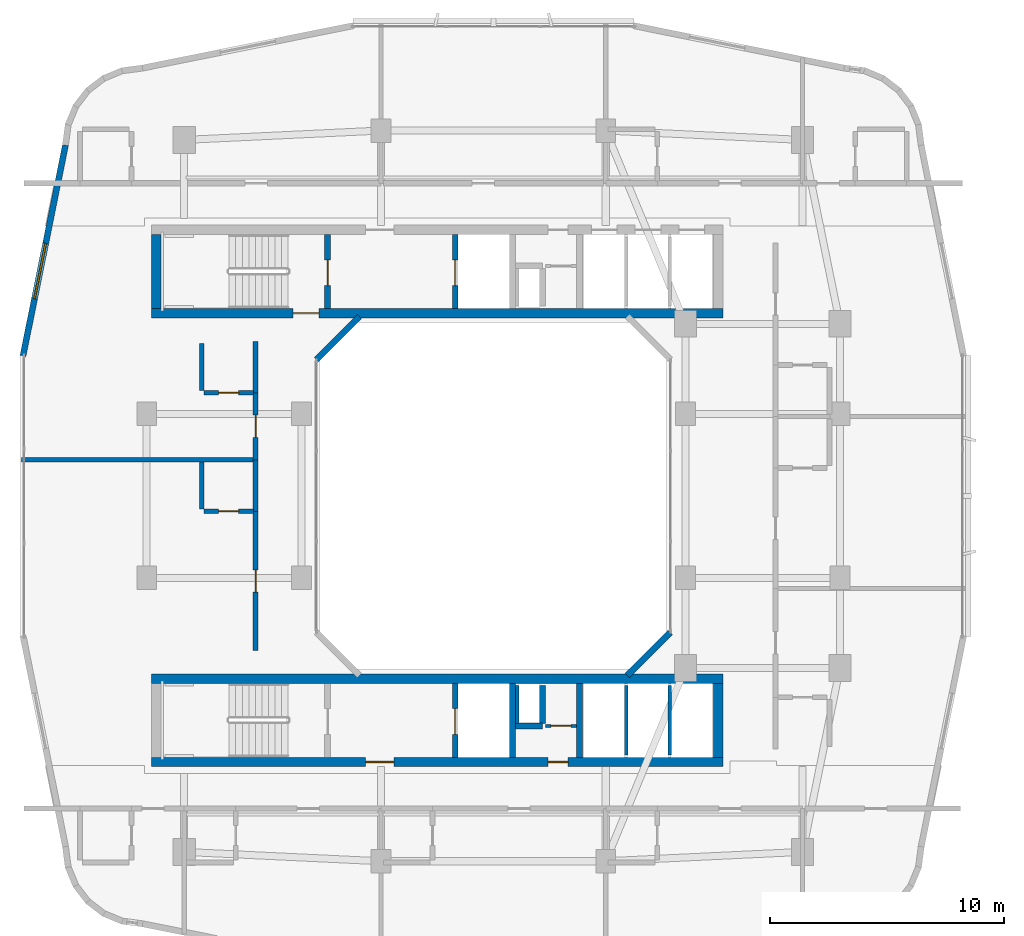
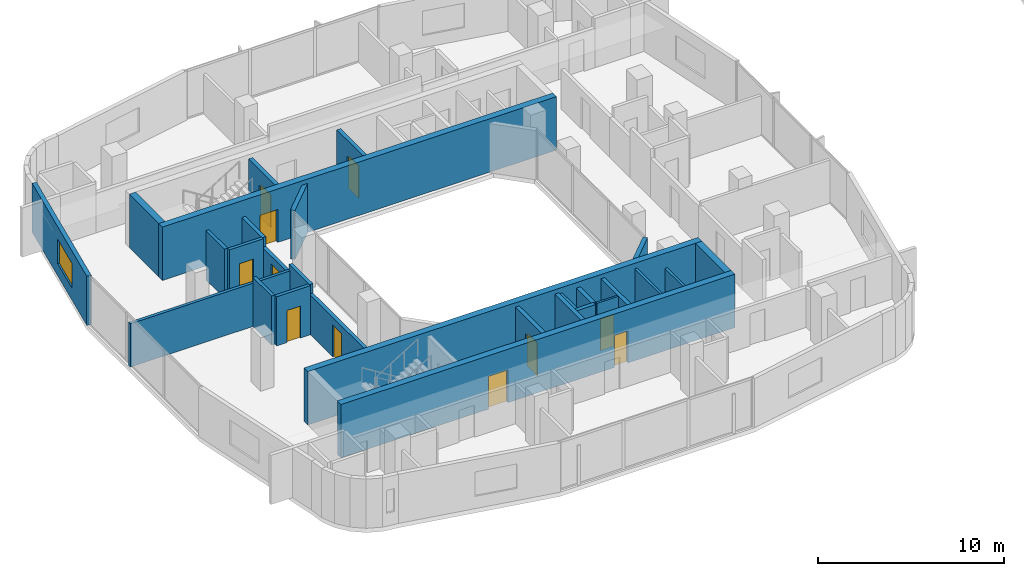
# One storey, part 13 of 26: 28 walls, 11 doors, 1 window, 12 openings.
"""IFC4 building model written with IfcOpenShell, lengths in metres."""

from ifc_helpers import new_model, si_unit, derived_unit, direction, frame, frame_2d, origin, place, context, subcontext, project, spatial, rectangle, extrude, material, layer, layer_set, type_object, element, fill, save


model = new_model("IFC4")

# Units and contexts
model_context = context("Model", 3, precision=1e-05, world=origin(), true_north=direction((0.0, 1.0)))
body_context = subcontext(model_context, "Body", "Model", "MODEL_VIEW")
ifc_project = project(units=[si_unit("LENGTHUNIT", "METRE"), si_unit("AREAUNIT", "SQUARE_METRE"), si_unit("VOLUMEUNIT", "CUBIC_METRE"), si_unit("PLANEANGLEUNIT", "RADIAN"), si_unit("MASSUNIT", "GRAM", prefix="KILO"), derived_unit("THERMALTRANSMITTANCEUNIT", [(si_unit("POWERUNIT", "WATT"), 1), (si_unit("LENGTHUNIT", "METRE"), -2), (si_unit("THERMODYNAMICTEMPERATUREUNIT", "KELVIN"), -1)])], contexts=[model_context])

# Site, building, storey
site_placement = place(None, origin())
site = spatial("IfcSite", under=ifc_project, at=site_placement, CompositionType="ELEMENT")
building_placement = place(site_placement, origin())
building = spatial("IfcBuilding", under=site, at=building_placement, Name="Kivonza Crest Hotel", CompositionType="ELEMENT")
storey_placement = place(building_placement, frame((0.0, 0.0, 102.0)))
storey = spatial("IfcBuildingStorey", under=building, at=storey_placement, Name="L27", CompositionType="ELEMENT", Elevation=102.0)

# Walls
ifc_material_1 = material(Name="High-density acoustic masonry inter-tenancy wall", Category="masonry")
ifc_layer_1 = layer(ifc_material_1, 0.179931640625)
ifc_layer_set_1 = layer_set([ifc_layer_1], Name="High-density acoustic masonry inter-tenancy wall")
wall_type_1 = type_object("IfcWallType", Name="WL-ACOU-180", PredefinedType="SOLIDWALL", material=ifc_layer_set_1)
wall_1_placement = place(storey_placement, frame((0.860107421875, 26.5400390625, 0.0), z_axis=(0.0, 0.0, 1.0), x_axis=(1.0, 0.0, 0.0)))
element("IfcWall", 1, at=wall_1_placement, inside=storey, type_object=wall_type_1, Name="L27 interior partition WA-L27-T1W-DIV1", PredefinedType="SOLIDWALL", context=body_context, shape_type="SweptSolid", body=[
    extrude(rectangle(XDim=9.989990234375, YDim=0.179931640625, at=frame_2d((4.9951171875, 0.0))), origin(), (0.0, 0.0, 1.0), 2.8349609375),
])
ifc_material_2 = material(Name="Autoclaved aerated concrete blockwork", Category="masonry")
ifc_layer_2 = layer(ifc_material_2, 0.219970703125)
ifc_layer_set_2 = layer_set([ifc_layer_2], Name="Autoclaved aerated concrete blockwork")
wall_type_2 = type_object("IfcWallType", Name="WL-ACOU-220", PredefinedType="SOLIDWALL", material=ifc_layer_set_2)
wall_2_placement = place(storey_placement, frame((10.85009765625, 24.340087890625, 0.0), z_axis=(0.0, 0.0, 1.0), x_axis=(0.0, 1.0, 0.0)))
element("IfcWall", 2, at=wall_2_placement, inside=storey, type_object=wall_type_2, Name="L27 interior partition WA-L27-W08-BCORR", PredefinedType="SOLIDWALL", context=body_context, shape_type="SweptSolid", body=[
    extrude(rectangle(XDim=2.199951171875, YDim=0.219970703125, at=frame_2d((1.10009765625, 0.0))), origin(), (0.0, 0.0, 1.0), 3.219970703125),
])

# Wall, opening, door
wall_3_placement = place(storey_placement, frame((10.85009765625, 18.39990234375, 0.0), z_axis=(0.0, 0.0, 1.0), x_axis=(0.0, 1.0, 0.0)))
wall_3 = element("IfcWall", 3, at=wall_3_placement, inside=storey, type_object=wall_type_2, Name="L27 interior partition WA-L27-W08-MCORR", PredefinedType="SOLIDWALL", context=body_context, shape_type="SweptSolid", body=[
    extrude(rectangle(XDim=5.940185546875, YDim=0.219970703125, at=frame_2d((2.97021484375, 0.0))), origin(), (0.0, 0.0, 1.0), 2.594970703125),
])
opening_1_placement = place(wall_3_placement, frame((2.4951171875, 0.0, 0.0)))
opening_1 = element("IfcOpeningElement", 4, at=opening_1_placement, cuts=wall_3, Name="Opening DU-60", PredefinedType="OPENING", context=body_context, shape_type="SweptSolid", body=[
    extrude(rectangle(XDim=0.949951171875, YDim=2.10009765625, at=frame_2d((0.47509765625, 1.050048828125))), frame((0.0, 0.1201171875, 0.0), z_axis=(0.0, -1.0, 0.0), x_axis=(1.0, 0.0, 0.0)), (0.0, 0.0, 1.0), 0.239990234375),
])
ifc_material_3 = material(Name="Hardwood timber oak", Category="wood")
door_type_1 = type_object("IfcDoorType", Name="DR-UNIT-950", OperationType="NOTDEFINED", PredefinedType="DOOR", material=ifc_material_3)
door_1_placement = place(opening_1_placement, origin())
door_1 = element("IfcDoor", 5, at=door_1_placement, inside=storey, type_object=door_type_1, Name="L27 W08 guest unit entrance fire door", OperationType="SINGLE_SWING_RIGHT", OverallHeight=2.10009765625, OverallWidth=0.949951171875, PredefinedType="DOOR", context=body_context, shape_type="SweptSolid", body=[
    extrude(rectangle(XDim=0.949951171875, YDim=2.10009765625, at=frame_2d((0.47509765625, 1.050048828125))), frame((0.0, 0.02490234375, 0.0), z_axis=(0.0, -1.0, 0.0), x_axis=(1.0, 0.0, 0.0)), (0.0, 0.0, 1.0), 0.050048828125),
])
fill(opening_1, door_1)

# Wall
wall_4_placement = place(storey_placement, frame((10.85009765625, 29.39990234375, 0.0), z_axis=(0.0, 0.0, 1.0), x_axis=(0.0, 1.0, 0.0)))
element("IfcWall", 6, at=wall_4_placement, inside=storey, type_object=wall_type_2, Name="L27 interior partition WA-L27-W09-BCORR", PredefinedType="SOLIDWALL", context=body_context, shape_type="SweptSolid", body=[
    extrude(rectangle(XDim=2.2001953125, YDim=0.219970703125, at=frame_2d((1.10009765625, 0.0))), origin(), (0.0, 0.0, 1.0), 3.219970703125),
])

# Wall, opening, door
wall_5_placement = place(storey_placement, frame((10.85009765625, 26.5400390625, 0.0), z_axis=(0.0, 0.0, 1.0), x_axis=(0.0, 1.0, 0.0)))
wall_5 = element("IfcWall", 7, at=wall_5_placement, inside=storey, type_object=wall_type_2, Name="L27 interior partition WA-L27-W09-MCORR", PredefinedType="SOLIDWALL", context=body_context, shape_type="SweptSolid", body=[
    extrude(rectangle(XDim=2.85986328125, YDim=0.219970703125, at=frame_2d((1.429931640625, 0.0))), origin(), (0.0, 0.0, 1.0), 2.594970703125),
])
opening_2_placement = place(wall_5_placement, frame((0.955078125, 0.0, 0.0)))
opening_2 = element("IfcOpeningElement", 8, at=opening_2_placement, cuts=wall_5, Name="Opening DU-60", PredefinedType="OPENING", context=body_context, shape_type="SweptSolid", body=[
    extrude(rectangle(XDim=0.949951171875, YDim=2.10009765625, at=frame_2d((0.47509765625, 1.050048828125))), frame((0.0, 0.1201171875, 0.0), z_axis=(0.0, -1.0, 0.0), x_axis=(1.0, 0.0, 0.0)), (0.0, 0.0, 1.0), 0.239990234375),
])
door_2_placement = place(opening_2_placement, origin())
door_2 = element("IfcDoor", 9, at=door_2_placement, inside=storey, type_object=door_type_1, Name="L27 W09 guest unit entrance fire door", OperationType="SINGLE_SWING_LEFT", OverallHeight=2.10009765625, OverallWidth=0.949951171875, PredefinedType="DOOR", context=body_context, shape_type="SweptSolid", body=[
    extrude(rectangle(XDim=0.949951171875, YDim=2.10009765625, at=frame_2d((0.47509765625, 1.050048828125))), frame((0.0, 0.02490234375, 0.0), z_axis=(0.0, -1.0, 0.0), x_axis=(1.0, 0.0, 0.0)), (0.0, 0.0, 1.0), 0.050048828125),
])
fill(opening_2, door_2)

ifc_material_4 = material(Name="Concrete C50/60", Category="concrete")
ifc_layer_3 = layer(ifc_material_4, 0.39990234375)
ifc_layer_set_3 = layer_set([ifc_layer_3], Name="Concrete C50/60")
wall_type_3 = type_object("IfcWallType", Name="WL-CORE-400", PredefinedType="SHEAR", material=ifc_layer_set_3)
wall_6_placement = place(storey_placement, frame((6.39990234375, 32.800048828125, 0.0), z_axis=(0.0, 0.0, 1.0), x_axis=(1.0, 0.0, 0.0)))
wall_6 = element("IfcWall", 10, at=wall_6_placement, inside=storey, type_object=wall_type_3, Name="Core wall T1-N South L27", PredefinedType="SHEAR", context=body_context, shape_type="SweptSolid", body=[
    extrude(rectangle(XDim=24.400146484375, YDim=0.39990234375, at=frame_2d((12.2001953125, 0.0))), origin(), (0.0, 0.0, 1.0), 3.5),
])
opening_3_placement = place(wall_6_placement, frame((6.050048828125, 0.0, 0.0)))
opening_3 = element("IfcOpeningElement", 11, at=opening_3_placement, cuts=wall_6, Name="Opening DF-120", PredefinedType="OPENING", context=body_context, shape_type="SweptSolid", body=[
    extrude(rectangle(XDim=1.10009765625, YDim=2.14990234375, at=frame_2d((0.550048828125, 1.074951171875))), frame((0.0, 0.2099609375, 0.0), z_axis=(0.0, -1.0, 0.0), x_axis=(1.0, 0.0, 0.0)), (0.0, 0.0, 1.0), 0.419921875),
])
ifc_material_5 = material(Name="Galvanised steel", Category="steel")
door_type_2 = type_object("IfcDoorType", Name="DR-FD120-1100", OperationType="NOTDEFINED", PredefinedType="DOOR", material=ifc_material_5)
door_3_placement = place(opening_3_placement, origin())
door_3 = element("IfcDoor", 12, at=door_3_placement, inside=storey, type_object=door_type_2, Name="L27 West corridor stair access fire door", OperationType="SINGLE_SWING_LEFT", OverallHeight=2.14990234375, OverallWidth=1.10009765625, PredefinedType="DOOR", context=body_context, shape_type="SweptSolid", body=[
    extrude(rectangle(XDim=1.10009765625, YDim=2.14990234375, at=frame_2d((0.550048828125, 1.074951171875))), frame((0.0, 0.02490234375, 0.0), z_axis=(0.0, -1.0, 0.0), x_axis=(1.0, 0.0, 0.0)), (0.0, 0.0, 1.0), 0.050048828125),
])
fill(opening_3, door_3)

# Wall
wall_7_placement = place(storey_placement, frame((6.60009765625, 33.0, 0.0), z_axis=(0.0, 0.0, 1.0), x_axis=(0.0, 1.0, 0.0)))
element("IfcWall", 13, at=wall_7_placement, inside=storey, type_object=wall_type_3, Name="Core wall T1-N West L27", PredefinedType="SHEAR", context=body_context, shape_type="SweptSolid", body=[
    extrude(rectangle(XDim=3.159912109375, YDim=0.39990234375, at=frame_2d((1.580078125, 0.0))), origin(), (0.0, 0.0, 1.0), 3.5),
])

# Wall, openings, doors
wall_8_placement = place(storey_placement, frame((6.39990234375, 13.639892578125, 0.0), z_axis=(0.0, 0.0, 1.0), x_axis=(1.0, 0.0, 0.0)))
wall_8 = element("IfcWall", 14, at=wall_8_placement, inside=storey, type_object=wall_type_3, Name="Core wall T1-S South L27", PredefinedType="SHEAR", context=body_context, shape_type="SweptSolid", body=[
    extrude(rectangle(XDim=24.400146484375, YDim=0.39990234375, at=frame_2d((12.2001953125, 0.0))), origin(), (0.0, 0.0, 1.0), 3.5),
])
opening_4_placement = place(wall_8_placement, frame((9.14990234375, 0.0, 0.0)))
opening_4 = element("IfcOpeningElement", 15, at=opening_4_placement, cuts=wall_8, Name="Opening DF-60", PredefinedType="OPENING", context=body_context, shape_type="SweptSolid", body=[
    extrude(rectangle(XDim=1.199951171875, YDim=2.14990234375, at=frame_2d((0.60009765625, 1.074951171875))), frame((0.0, 0.2099609375, 0.0), z_axis=(0.0, -1.0, 0.0), x_axis=(1.0, 0.0, 0.0)), (0.0, 0.0, 1.0), 0.419921875),
])
opening_5_placement = place(wall_8_placement, frame((16.93994140625, 0.0, 0.0)))
opening_5 = element("IfcOpeningElement", 16, at=opening_5_placement, cuts=wall_8, Name="Opening DF-60R", PredefinedType="OPENING", context=body_context, shape_type="SweptSolid", body=[
    extrude(rectangle(XDim=0.85009765625, YDim=2.10009765625, at=frame_2d((0.425048828125, 1.050048828125))), frame((0.0, 0.2099609375, 0.0), z_axis=(0.0, -1.0, 0.0), x_axis=(1.0, 0.0, 0.0)), (0.0, 0.0, 1.0), 0.419921875),
])
door_type_3 = type_object("IfcDoorType", Name="DR-FD60-1200", OperationType="NOTDEFINED", PredefinedType="DOOR", material=ifc_material_3)
door_4_placement = place(opening_4_placement, frame((1.199951171875, 0.0, 0.0), z_axis=(0.0, 0.0, 1.0), x_axis=(-1.0, 0.0, 0.0)))
door_4 = element("IfcDoor", 17, at=door_4_placement, inside=storey, type_object=door_type_3, Name="L27 T1-S firefighting lobby fire door", OperationType="SINGLE_SWING_LEFT", OverallHeight=2.14990234375, OverallWidth=1.199951171875, PredefinedType="DOOR", context=body_context, shape_type="SweptSolid", body=[
    extrude(rectangle(XDim=1.199951171875, YDim=2.14990234375, at=frame_2d((0.60009765625, 1.074951171875))), frame((0.0, 0.02490234375, 0.0), z_axis=(0.0, -1.0, 0.0), x_axis=(1.0, 0.0, 0.0)), (0.0, 0.0, 1.0), 0.050048828125),
])
fill(opening_4, door_4)
door_type_4 = type_object("IfcDoorType", Name="DR-FD60-850", OperationType="NOTDEFINED", PredefinedType="DOOR", material=ifc_material_3)
door_5_placement = place(opening_5_placement, frame((0.85009765625, 0.0, 0.0), z_axis=(0.0, 0.0, 1.0), x_axis=(-1.0, 0.0, 0.0)))
door_5 = element("IfcDoor", 18, at=door_5_placement, inside=storey, type_object=door_type_4, Name="L27 T1-S core room door", OperationType="SINGLE_SWING_RIGHT", OverallHeight=2.10009765625, OverallWidth=0.85009765625, PredefinedType="DOOR", context=body_context, shape_type="SweptSolid", body=[
    extrude(rectangle(XDim=0.85009765625, YDim=2.10009765625, at=frame_2d((0.425048828125, 1.050048828125))), frame((0.0, 0.02490234375, 0.0), z_axis=(0.0, -1.0, 0.0), x_axis=(1.0, 0.0, 0.0)), (0.0, 0.0, 1.0), 0.050048828125),
])
fill(opening_5, door_5)

# Walls
wall_9_placement = place(storey_placement, frame((6.39990234375, 17.199951171875, 0.0), z_axis=(0.0, 0.0, 1.0), x_axis=(1.0, 0.0, 0.0)))
element("IfcWall", 19, at=wall_9_placement, inside=storey, type_object=wall_type_3, Name="Core wall T1-S North L27", PredefinedType="SHEAR", context=body_context, shape_type="SweptSolid", body=[
    extrude(rectangle(XDim=24.400146484375, YDim=0.39990234375, at=frame_2d((12.2001953125, 0.0))), origin(), (0.0, 0.0, 1.0), 3.5),
])
wall_10_placement = place(storey_placement, frame((30.60009765625, 13.840087890625, 0.0), z_axis=(0.0, 0.0, 1.0), x_axis=(0.0, 1.0, 0.0)))
element("IfcWall", 20, at=wall_10_placement, inside=storey, type_object=wall_type_3, Name="Core wall T1-S East L27", PredefinedType="SHEAR", context=body_context, shape_type="SweptSolid", body=[
    extrude(rectangle(XDim=3.159912109375, YDim=0.39990234375, at=frame_2d((1.580078125, 0.0))), origin(), (0.0, 0.0, 1.0), 3.5),
])

# Wall, opening, window
ifc_material_6 = material(Name="Precast concrete C40/50", Category="concrete")
ifc_layer_4 = layer(ifc_material_6, 0.260009765625)
ifc_layer_set_4 = layer_set([ifc_layer_4], Name="Precast concrete C40/50")
wall_type_4 = type_object("IfcWallType", Name="WL-EXT-260", PredefinedType="STANDARD", material=ifc_layer_set_4)
wall_11_placement = place(storey_placement, frame((2.72900390625, 39.98193359375, 0.0), z_axis=(0.0, 0.0, 1.0), x_axis=(-0.197435082048, -0.980315963543, 0.0)))
wall_11 = element("IfcWall", 21, at=wall_11_placement, inside=storey, type_object=wall_type_4, Name="L27 T1 exterior insulated wall 34", PredefinedType="STANDARD", context=body_context, shape_type="SweptSolid", body=[
    extrude(rectangle(XDim=9.1826171875, YDim=0.260009765625, at=frame_2d((4.59130859375, 0.0))), origin(), (0.0, 0.0, 1.0), 3.219970703125),
])
opening_6_placement = place(wall_11_placement, frame((4.285888671875, 0.0, 0.800048828125)))
opening_6 = element("IfcOpeningElement", 22, at=opening_6_placement, cuts=wall_11, Name="Opening WN-05", PredefinedType="OPENING", context=body_context, shape_type="SweptSolid", body=[
    extrude(rectangle(XDim=2.39990234375, YDim=1.60009765625, at=frame_2d((1.199951171875, 0.800048828125))), frame((0.0, 0.14013671875, 0.0), z_axis=(0.0, -1.0, 0.0), x_axis=(1.0, 0.0, 0.0)), (0.0, 0.0, 1.0), 0.280029296875),
])
ifc_material_7 = material(Name="Thermally broken bronze aluminium and low-E double glazing", Category="aluminium")
window_type = type_object("IfcWindowType", Name="WN-240x160", PartitioningType="TRIPLE_PANEL_VERTICAL", PredefinedType="WINDOW", material=ifc_material_7)
window_placement = place(opening_6_placement, origin())
window = element("IfcWindow", 23, at=window_placement, inside=storey, type_object=window_type, Name="L27 T1 facade window 34", OverallHeight=1.60009765625, OverallWidth=2.39990234375, PartitioningType="SINGLE_PANEL", PredefinedType="WINDOW", context=body_context, shape_type="SweptSolid", body=[
    extrude(rectangle(XDim=2.39990234375, YDim=1.60009765625, at=frame_2d((1.199951171875, 0.800048828125))), frame((0.0, 0.030029296875, 0.0), z_axis=(0.0, -1.0, 0.0), x_axis=(1.0, 0.0, 0.0)), (0.0, 0.0, 1.0), 0.06005859375),
])
fill(opening_6, window)

# Walls
for number, where, z_axis, x_axis, name in (
    (24, (26.721923828125, 17.337890625, 0.0), (0.0, 0.0, 1.0), (0.707059717605, 0.707153841636, 0.0), "L27 T1 light-well exterior wall 2"),
    (25, (15.278076171875, 32.662109375, 0.0), (0.0, 0.0, 1.0), (-0.707059717605, -0.707153841636, 0.0), "L27 T1 light-well exterior wall 6"),
):
    element("IfcWall", number, at=place(storey_placement, frame(where, z_axis=z_axis, x_axis=x_axis)), inside=storey, type_object=wall_type_4, Name=name, PredefinedType="STANDARD", context=body_context, shape_type="SweptSolid", body=[
        extrude(rectangle(XDim=2.59375, YDim=0.260009765625, at=frame_2d((1.296875, 0.0))), origin(), (0.0, 0.0, 1.0), 3.219970703125),
    ])
ifc_material_8 = material(Name="Concrete blockwork fire-compartment wall", Category="masonry")
ifc_layer_5 = layer(ifc_material_8, 0.25)
ifc_layer_set_5 = layer_set([ifc_layer_5], Name="Concrete blockwork fire-compartment wall")
wall_type_5 = type_object("IfcWallType", Name="WL-FIRE-250", PredefinedType="SOLIDWALL", material=ifc_layer_set_5)
wall_12_placement = place(storey_placement, frame((23.10009765625, 15.280029296875, 0.0), z_axis=(0.0, 0.0, 1.0), x_axis=(0.0, 1.0, 0.0)))
element("IfcWall", 26, at=wall_12_placement, inside=storey, type_object=wall_type_5, Name="L27 interior partition WA-L27-T1-S-MEPR-E", PredefinedType="SOLIDWALL", context=body_context, shape_type="SweptSolid", body=[
    extrude(rectangle(XDim=1.619873046875, YDim=0.25, at=frame_2d((0.81005859375, 0.0))), origin(), (0.0, 0.0, 1.0), 3.219970703125),
])
wall_13_placement = place(storey_placement, frame((21.949951171875, 15.179931640625, 0.0), z_axis=(0.0, 0.0, 1.0), x_axis=(1.0, 0.0, 0.0)))
element("IfcWall", 27, at=wall_13_placement, inside=storey, type_object=wall_type_5, Name="L27 interior partition WA-L27-T1-S-MEPR-H", PredefinedType="SOLIDWALL", context=body_context, shape_type="SweptSolid", body=[
    extrude(rectangle(XDim=1.150146484375, YDim=0.25, at=frame_2d((0.5751953125, 0.0))), origin(), (0.0, 0.0, 1.0), 3.219970703125),
])

# Wall, opening, door
ifc_material_9 = material(Name="Metal-stud gypsum board partition", Category="gypsum")
ifc_layer_6 = layer(ifc_material_9, 0.125)
ifc_layer_set_6 = layer_set([ifc_layer_6], Name="Metal-stud gypsum board partition")
wall_type_6 = type_object("IfcWallType", Name="WL-PART-125", PredefinedType="PARTITIONING", material=ifc_layer_set_6)
wall_14_placement = place(storey_placement, frame((23.219970703125, 15.179931640625, 0.0), z_axis=(0.0, 0.0, 1.0), x_axis=(1.0, 0.0, 0.0)))
wall_14 = element("IfcWall", 28, at=wall_14_placement, inside=storey, type_object=wall_type_6, Name="L27 interior partition WP-L27-T1-S-SV3H", PredefinedType="PARTITIONING", context=body_context, shape_type="SweptSolid", body=[
    extrude(rectangle(XDim=1.330078125, YDim=0.125, at=frame_2d((0.6650390625, 0.0))), origin(), (0.0, 0.0, 1.0), 3.219970703125),
])
opening_7_placement = place(wall_14_placement, frame((0.239990234375, 0.0, 0.0)))
opening_7 = element("IfcOpeningElement", 29, at=opening_7_placement, cuts=wall_14, Name="Opening DI-85", PredefinedType="OPENING", context=body_context, shape_type="SweptSolid", body=[
    extrude(rectangle(XDim=0.85009765625, YDim=2.10009765625, at=frame_2d((0.425048828125, 1.050048828125))), frame((0.0, 0.072509765625, 0.0), z_axis=(0.0, -1.0, 0.0), x_axis=(1.0, 0.0, 0.0)), (0.0, 0.0, 1.0), 0.14501953125),
])
door_type_5 = type_object("IfcDoorType", Name="DR-INT-850", OperationType="NOTDEFINED", PredefinedType="DOOR", material=ifc_material_3)
door_6_placement = place(opening_7_placement, origin())
door_6 = element("IfcDoor", 30, at=door_6_placement, inside=storey, type_object=door_type_5, Name="L27 T1-S inner manifold door", OperationType="SINGLE_SWING_LEFT", OverallHeight=2.10009765625, OverallWidth=0.85009765625, PredefinedType="DOOR", context=body_context, shape_type="SweptSolid", body=[
    extrude(rectangle(XDim=0.85009765625, YDim=2.10009765625, at=frame_2d((0.425048828125, 1.050048828125))), frame((0.0, 0.02490234375, 0.0), z_axis=(0.0, -1.0, 0.0), x_axis=(1.0, 0.0, 0.0)), (0.0, 0.0, 1.0), 0.050048828125),
])
fill(opening_7, door_6)

# Walls
ifc_material_10 = material(Name="Twin-stud acoustic gypsum board partition", Category="gypsum")
ifc_layer_7 = layer(ifc_material_10, 0.14990234375)
ifc_layer_set_7 = layer_set([ifc_layer_7], Name="Twin-stud acoustic gypsum board partition")
wall_type_7 = type_object("IfcWallType", Name="WL-PART-150", PredefinedType="PARTITIONING", material=ifc_layer_set_7)
wall_15_placement = place(storey_placement, frame((22.030029296875, 15.280029296875, 0.0), z_axis=(0.0, 0.0, 1.0), x_axis=(0.0, 1.0, 0.0)))
element("IfcWall", 31, at=wall_15_placement, inside=storey, type_object=wall_type_7, Name="L27 interior partition WA-L27-T1-S-MEPR-W", PredefinedType="PARTITIONING", context=body_context, shape_type="SweptSolid", body=[
    extrude(rectangle(XDim=1.619873046875, YDim=0.14990234375, at=frame_2d((0.81005859375, 0.0))), origin(), (0.0, 0.0, 1.0), 3.219970703125),
])
wall_16_placement = place(storey_placement, frame((26.6669921875, 13.93994140625, 0.0), z_axis=(0.0, 0.0, 1.0), x_axis=(0.0, 1.0, 0.0)))
element("IfcWall", 32, at=wall_16_placement, inside=storey, type_object=wall_type_7, Name="L27 interior partition WP-L27-T1-S-BSH-1", PredefinedType="PARTITIONING", context=body_context, shape_type="SweptSolid", body=[
    extrude(rectangle(XDim=2.9599609375, YDim=0.14990234375, at=frame_2d((1.47998046875, 0.0))), origin(), (0.0, 0.0, 1.0), 3.219970703125),
])
wall_17_placement = place(storey_placement, frame((28.532958984375, 13.93994140625, 0.0), z_axis=(0.0, 0.0, 1.0), x_axis=(0.0, 1.0, 0.0)))
element("IfcWall", 33, at=wall_17_placement, inside=storey, type_object=wall_type_7, Name="L27 interior partition WP-L27-T1-S-BSH-2", PredefinedType="PARTITIONING", context=body_context, shape_type="SweptSolid", body=[
    extrude(rectangle(XDim=2.9599609375, YDim=0.14990234375, at=frame_2d((1.47998046875, 0.0))), origin(), (0.0, 0.0, 1.0), 2.594970703125),
])

# Wall, opening, door
ifc_material_11 = material(Name="Moisture-resistant plumbing chase partition wall", Category="gypsum")
ifc_layer_8 = layer(ifc_material_11, 0.199951171875)
ifc_layer_set_8 = layer_set([ifc_layer_8], Name="Moisture-resistant plumbing chase partition wall")
wall_type_8 = type_object("IfcWallType", Name="WL-PLUMB-200", PredefinedType="PLUMBINGWALL", material=ifc_layer_set_8)
wall_18_placement = place(storey_placement, frame((8.64990234375, 24.340087890625, 0.0), z_axis=(0.0, 0.0, 1.0), x_axis=(1.0, 0.0, 0.0)))
wall_18 = element("IfcWall", 34, at=wall_18_placement, inside=storey, type_object=wall_type_8, Name="L27 interior partition WW-L27-W08-BH", PredefinedType="PLUMBINGWALL", context=body_context, shape_type="SweptSolid", body=[
    extrude(rectangle(XDim=2.10009765625, YDim=0.199951171875, at=frame_2d((1.050048828125, 0.0))), origin(), (0.0, 0.0, 1.0), 3.219970703125),
])
opening_8_placement = place(wall_18_placement, frame((0.625, 0.0, 0.0)))
opening_8 = element("IfcOpeningElement", 35, at=opening_8_placement, cuts=wall_18, Name="Opening DI-85", PredefinedType="OPENING", context=body_context, shape_type="SweptSolid", body=[
    extrude(rectangle(XDim=0.85009765625, YDim=2.10009765625, at=frame_2d((0.425048828125, 1.050048828125))), frame((0.0, 0.10986328125, 0.0), z_axis=(0.0, -1.0, 0.0), x_axis=(1.0, 0.0, 0.0)), (0.0, 0.0, 1.0), 0.219970703125),
])
door_7_placement = place(opening_8_placement, frame((0.85009765625, 0.0, 0.0), z_axis=(0.0, 0.0, 1.0), x_axis=(-1.0, 0.0, 0.0)))
door_7 = element("IfcDoor", 36, at=door_7_placement, inside=storey, type_object=door_type_5, Name="L27 W08 en-suite bathroom door", OperationType="SINGLE_SWING_LEFT", OverallHeight=2.10009765625, OverallWidth=0.85009765625, PredefinedType="DOOR", context=body_context, shape_type="SweptSolid", body=[
    extrude(rectangle(XDim=0.85009765625, YDim=2.10009765625, at=frame_2d((0.425048828125, 1.050048828125))), frame((0.0, 0.02490234375, 0.0), z_axis=(0.0, -1.0, 0.0), x_axis=(1.0, 0.0, 0.0)), (0.0, 0.0, 1.0), 0.050048828125),
])
fill(opening_8, door_7)

# Wall
wall_19_placement = place(storey_placement, frame((8.550048828125, 24.43994140625, 0.0), z_axis=(0.0, 0.0, 1.0), x_axis=(0.0, 1.0, 0.0)))
element("IfcWall", 37, at=wall_19_placement, inside=storey, type_object=wall_type_8, Name="L27 interior partition WW-L27-W08-BV", PredefinedType="PLUMBINGWALL", context=body_context, shape_type="SweptSolid", body=[
    extrude(rectangle(XDim=2.0, YDim=0.199951171875, at=frame_2d((1.0, 0.0))), origin(), (0.0, 0.0, 1.0), 3.219970703125),
])

# Wall, opening, door
wall_20_placement = place(storey_placement, frame((8.64990234375, 29.39990234375, 0.0), z_axis=(0.0, 0.0, 1.0), x_axis=(1.0, 0.0, 0.0)))
wall_20 = element("IfcWall", 38, at=wall_20_placement, inside=storey, type_object=wall_type_8, Name="L27 interior partition WW-L27-W09-BH", PredefinedType="PLUMBINGWALL", context=body_context, shape_type="SweptSolid", body=[
    extrude(rectangle(XDim=2.10009765625, YDim=0.199951171875, at=frame_2d((1.050048828125, 0.0))), origin(), (0.0, 0.0, 1.0), 3.219970703125),
])
opening_9_placement = place(wall_20_placement, frame((0.625, 0.0, 0.0)))
opening_9 = element("IfcOpeningElement", 39, at=opening_9_placement, cuts=wall_20, Name="Opening DI-85", PredefinedType="OPENING", context=body_context, shape_type="SweptSolid", body=[
    extrude(rectangle(XDim=0.85009765625, YDim=2.10009765625, at=frame_2d((0.425048828125, 1.050048828125))), frame((0.0, 0.10986328125, 0.0), z_axis=(0.0, -1.0, 0.0), x_axis=(1.0, 0.0, 0.0)), (0.0, 0.0, 1.0), 0.219970703125),
])
door_8_placement = place(opening_9_placement, frame((0.85009765625, 0.0, 0.0), z_axis=(0.0, 0.0, 1.0), x_axis=(-1.0, 0.0, 0.0)))
door_8 = element("IfcDoor", 40, at=door_8_placement, inside=storey, type_object=door_type_5, Name="L27 W09 en-suite bathroom door", OperationType="SINGLE_SWING_RIGHT", OverallHeight=2.10009765625, OverallWidth=0.85009765625, PredefinedType="DOOR", context=body_context, shape_type="SweptSolid", body=[
    extrude(rectangle(XDim=0.85009765625, YDim=2.10009765625, at=frame_2d((0.425048828125, 1.050048828125))), frame((0.0, 0.02490234375, 0.0), z_axis=(0.0, -1.0, 0.0), x_axis=(1.0, 0.0, 0.0)), (0.0, 0.0, 1.0), 0.050048828125),
])
fill(opening_9, door_8)

# Wall
wall_21_placement = place(storey_placement, frame((8.550048828125, 29.5, 0.0), z_axis=(0.0, 0.0, 1.0), x_axis=(0.0, 1.0, 0.0)))
element("IfcWall", 41, at=wall_21_placement, inside=storey, type_object=wall_type_8, Name="L27 interior partition WW-L27-W09-BV", PredefinedType="PLUMBINGWALL", context=body_context, shape_type="SweptSolid", body=[
    extrude(rectangle(XDim=2.0, YDim=0.199951171875, at=frame_2d((1.0, 0.0))), origin(), (0.0, 0.0, 1.0), 3.219970703125),
])

# Wall, opening, door
ifc_layer_9 = layer(ifc_material_4, 0.25)
ifc_layer_set_9 = layer_set([ifc_layer_9], Name="Concrete C50/60")
wall_type_9 = type_object("IfcWallType", Name="WL-SHAFT-250", PredefinedType="STANDARD", material=ifc_layer_set_9)
wall_22_placement = place(storey_placement, frame((13.925048828125, 33.0, 0.0), z_axis=(0.0, 0.0, 1.0), x_axis=(0.0, 1.0, 0.0)))
wall_22 = element("IfcWall", 42, at=wall_22_placement, inside=storey, type_object=wall_type_9, Name="Core shaft wall T1-N STAIR L27", PredefinedType="STANDARD", context=body_context, shape_type="SweptSolid", body=[
    extrude(rectangle(XDim=3.159912109375, YDim=0.25, at=frame_2d((1.580078125, 0.0))), origin(), (0.0, 0.0, 1.0), 3.219970703125),
])
opening_10_placement = place(wall_22_placement, frame((0.97998046875, 0.0, 0.0)))
opening_10 = element("IfcOpeningElement", 43, at=opening_10_placement, cuts=wall_22, Name="Opening DF-120", PredefinedType="OPENING", context=body_context, shape_type="SweptSolid", body=[
    extrude(rectangle(XDim=1.10009765625, YDim=2.14990234375, at=frame_2d((0.550048828125, 1.074951171875))), frame((0.0, 0.135009765625, 0.0), z_axis=(0.0, -1.0, 0.0), x_axis=(1.0, 0.0, 0.0)), (0.0, 0.0, 1.0), 0.27001953125),
])
door_9_placement = place(opening_10_placement, frame((1.10009765625, 0.0, 0.0), z_axis=(0.0, 0.0, 1.0), x_axis=(-1.0, 0.0, 0.0)))
door_9 = element("IfcDoor", 44, at=door_9_placement, inside=storey, type_object=door_type_2, Name="L27 T1-N stair fire door", OperationType="SINGLE_SWING_LEFT", OverallHeight=2.14990234375, OverallWidth=1.10009765625, PredefinedType="DOOR", context=body_context, shape_type="SweptSolid", body=[
    extrude(rectangle(XDim=1.10009765625, YDim=2.14990234375, at=frame_2d((0.550048828125, 1.074951171875))), frame((0.0, 0.02490234375, 0.0), z_axis=(0.0, -1.0, 0.0), x_axis=(1.0, 0.0, 0.0)), (0.0, 0.0, 1.0), 0.050048828125),
])
fill(opening_10, door_9)

wall_23_placement = place(storey_placement, frame((19.375, 33.0, 0.0), z_axis=(0.0, 0.0, 1.0), x_axis=(0.0, 1.0, 0.0)))
wall_23 = element("IfcWall", 45, at=wall_23_placement, inside=storey, type_object=wall_type_9, Name="Core shaft wall T1-N FFL-W L27", PredefinedType="STANDARD", context=body_context, shape_type="SweptSolid", body=[
    extrude(rectangle(XDim=3.159912109375, YDim=0.25, at=frame_2d((1.580078125, 0.0))), origin(), (0.0, 0.0, 1.0), 3.219970703125),
])
opening_11_placement = place(wall_23_placement, frame((0.97998046875, 0.0, 0.0)))
opening_11 = element("IfcOpeningElement", 46, at=opening_11_placement, cuts=wall_23, Name="Opening LD-120", PredefinedType="OPENING", context=body_context, shape_type="SweptSolid", body=[
    extrude(rectangle(XDim=1.10009765625, YDim=2.14990234375, at=frame_2d((0.550048828125, 1.074951171875))), frame((0.0, 0.135009765625, 0.0), z_axis=(0.0, -1.0, 0.0), x_axis=(1.0, 0.0, 0.0)), (0.0, 0.0, 1.0), 0.27001953125),
])
ifc_material_12 = material(Name="Stainless steel", Category="steel")
door_type_6 = type_object("IfcDoorType", Name="DR-LD120-1100", OperationType="NOTDEFINED", PredefinedType="DOOR", material=ifc_material_12)
door_10_placement = place(opening_11_placement, origin())
door_10 = element("IfcDoor", 47, at=door_10_placement, inside=storey, type_object=door_type_6, Name="L27 FFL-T1-N firefighting lift sliding landing door", OperationType="DOUBLE_DOOR_SLIDING", OverallHeight=2.14990234375, OverallWidth=1.10009765625, PredefinedType="DOOR", context=body_context, shape_type="SweptSolid", body=[
    extrude(rectangle(XDim=1.10009765625, YDim=2.14990234375, at=frame_2d((0.550048828125, 1.074951171875))), frame((0.0, 0.02490234375, 0.0), z_axis=(0.0, -1.0, 0.0), x_axis=(1.0, 0.0, 0.0)), (0.0, 0.0, 1.0), 0.050048828125),
])
fill(opening_11, door_10)

wall_24_placement = place(storey_placement, frame((19.375, 13.840087890625, 0.0), z_axis=(0.0, 0.0, 1.0), x_axis=(0.0, 1.0, 0.0)))
wall_24 = element("IfcWall", 48, at=wall_24_placement, inside=storey, type_object=wall_type_9, Name="Core shaft wall T1-S FFL-W L27", PredefinedType="STANDARD", context=body_context, shape_type="SweptSolid", body=[
    extrude(rectangle(XDim=3.159912109375, YDim=0.25, at=frame_2d((1.580078125, 0.0))), origin(), (0.0, 0.0, 1.0), 3.219970703125),
])
opening_12_placement = place(wall_24_placement, frame((0.97998046875, 0.0, 0.0)))
opening_12 = element("IfcOpeningElement", 49, at=opening_12_placement, cuts=wall_24, Name="Opening LD-120", PredefinedType="OPENING", context=body_context, shape_type="SweptSolid", body=[
    extrude(rectangle(XDim=1.10009765625, YDim=2.14990234375, at=frame_2d((0.550048828125, 1.074951171875))), frame((0.0, 0.135009765625, 0.0), z_axis=(0.0, -1.0, 0.0), x_axis=(1.0, 0.0, 0.0)), (0.0, 0.0, 1.0), 0.27001953125),
])
door_11_placement = place(opening_12_placement, origin())
door_11 = element("IfcDoor", 50, at=door_11_placement, inside=storey, type_object=door_type_6, Name="L27 FFL-T1-S firefighting lift sliding landing door", OperationType="DOUBLE_DOOR_SLIDING", OverallHeight=2.14990234375, OverallWidth=1.10009765625, PredefinedType="DOOR", context=body_context, shape_type="SweptSolid", body=[
    extrude(rectangle(XDim=1.10009765625, YDim=2.14990234375, at=frame_2d((0.550048828125, 1.074951171875))), frame((0.0, 0.02490234375, 0.0), z_axis=(0.0, -1.0, 0.0), x_axis=(1.0, 0.0, 0.0)), (0.0, 0.0, 1.0), 0.050048828125),
])
fill(opening_12, door_11)

# Walls
for number, where, z_axis, x_axis, name in (
    (51, (21.824951171875, 13.840087890625, 0.0), (0.0, 0.0, 1.0), (0.0, 1.0, 0.0), "Core shaft wall T1-S FFL-E L27"),
    (52, (24.675048828125, 13.840087890625, 0.0), (0.0, 0.0, 1.0), (0.0, 1.0, 0.0), "Core shaft wall T1-S BANK-W L27"),
):
    element("IfcWall", number, at=place(storey_placement, frame(where, z_axis=z_axis, x_axis=x_axis)), inside=storey, type_object=wall_type_9, Name=name, PredefinedType="STANDARD", context=body_context, shape_type="SweptSolid", body=[
        extrude(rectangle(XDim=3.159912109375, YDim=0.25, at=frame_2d((1.580078125, 0.0))), origin(), (0.0, 0.0, 1.0), 3.219970703125),
    ])

save(model, "model.ifc")
